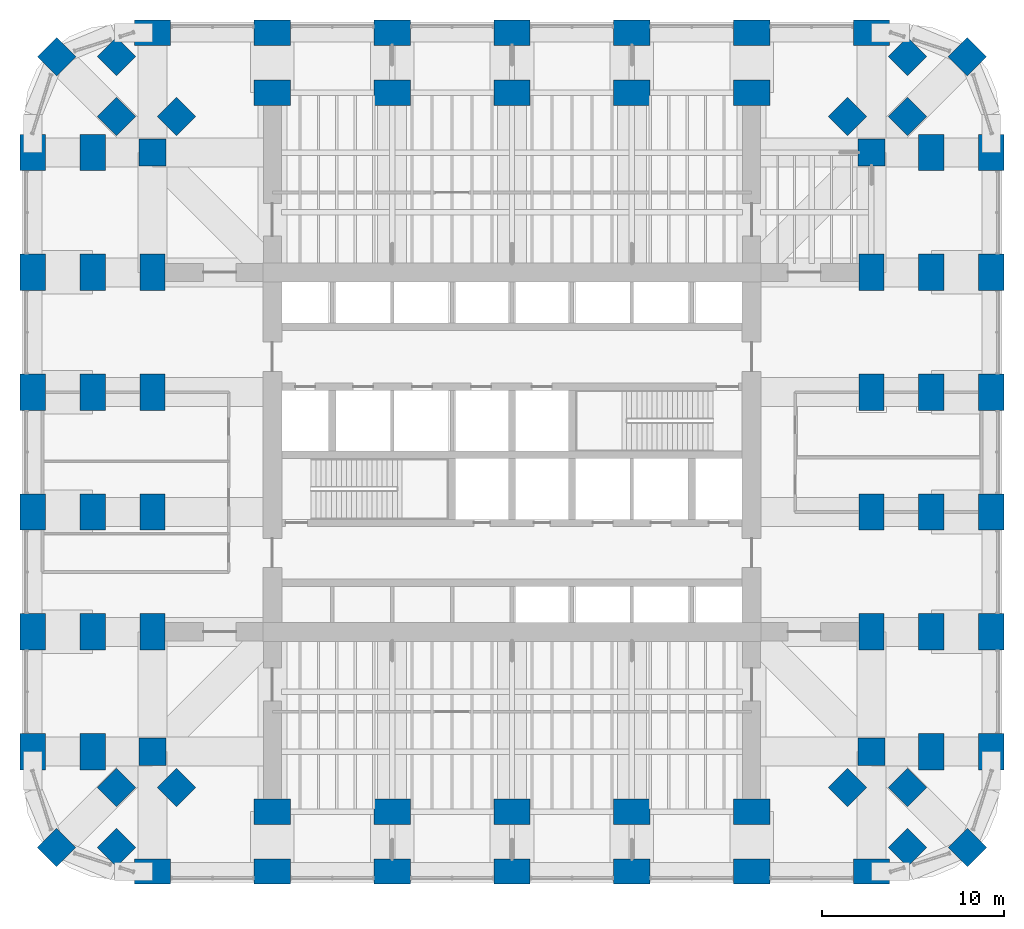
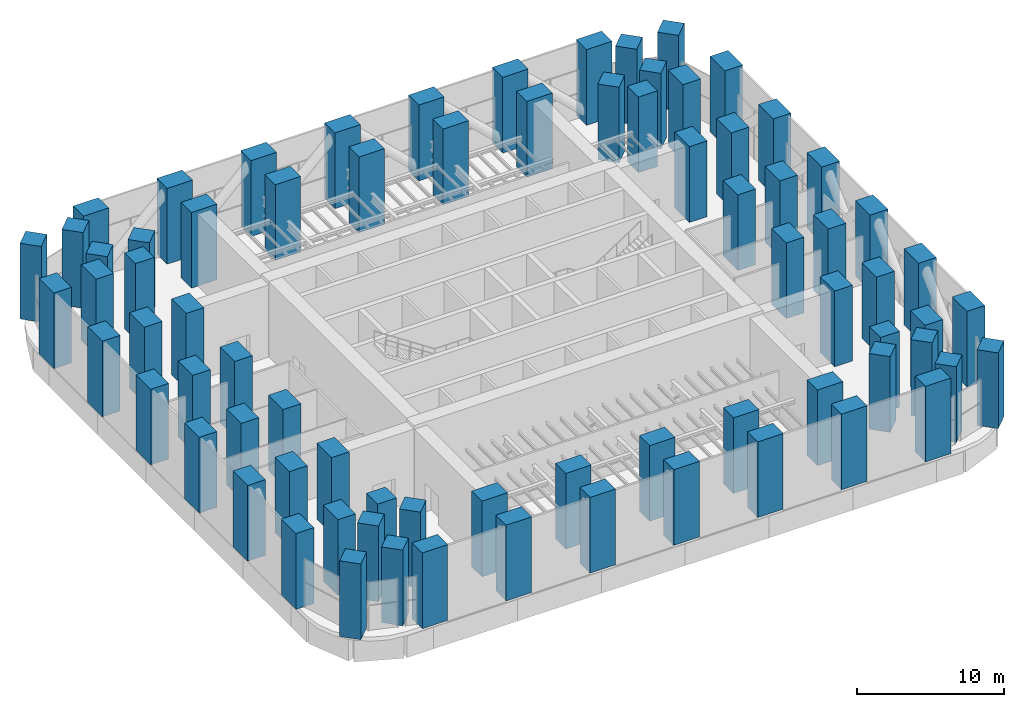
# One storey, part 1 of 17: 76 columns.
"""IFC4 building model written with IfcOpenShell, lengths in metres."""

import ifcopenshell
import ifcopenshell.guid

model = None  # the IFC model being written
_history = None  # IfcOwnerHistory: only IFC2X3 demands one
_inside = {}  # id of a spatial element -> (the spatial element, [elements in it])
_under = {}  # id of a project, library or spatial element -> (it, [spatial elements below it])
_declared = {}  # id of a project -> (the project, [libraries it declares])
_typed = {}  # id of a type object -> (the type object, [elements of that type])
_made_of = {}  # id of a material, layer set ... -> (it, [elements and type objects made of it])


def new_model(schema):
    """Start an empty IFC model of exactly this schema.

    Asked for "IFC4X3", IfcOpenShell would pick the latest addendum, in which some entities
    have other attributes; the version numbers below select the first issue.
    IFC2X3 requires an IfcOwnerHistory on every rooted entity: one is made here for all.
    """
    global model, _history
    if schema == "IFC4X3":
        model = ifcopenshell.file(schema_version=(4, 3, 0, 0))
    else:
        model = ifcopenshell.file(schema=schema)
    _inside.clear()
    _under.clear()
    _declared.clear()
    _typed.clear()
    _made_of.clear()
    _history = None
    if model.schema == "IFC2X3":
        org = make("IfcOrganization", Name="unknown")
        user = make(
            "IfcPersonAndOrganization",
            ThePerson=make("IfcPerson", FamilyName="unknown"),
            TheOrganization=org,
        )
        app = make(
            "IfcApplication",
            ApplicationDeveloper=org,
            Version="unknown",
            ApplicationFullName="unknown",
            ApplicationIdentifier="unknown",
        )
        _history = make(
            "IfcOwnerHistory",
            OwningUser=user,
            OwningApplication=app,
            ChangeAction="ADDED",
            CreationDate=0,
        )
    return model


def make(cls, **values):
    """One entity of the class cls with the attributes given. An attribute that is None is left unset."""
    return model.create_entity(
        cls, **{name: value for name, value in values.items() if value is not None}
    )


def rooted(cls, **values):
    """An entity with a GlobalId (a new one), such as an element, a storey or a relation."""
    return make(cls, GlobalId=ifcopenshell.guid.new(), OwnerHistory=_history, **values)


def si_unit(unit_type, name, prefix=None):
    """IfcSIUnit, for example si_unit("LENGTHUNIT", "METRE", prefix="MILLI")."""
    return make("IfcSIUnit", UnitType=unit_type, Prefix=prefix, Name=name)


def assignment(units):
    """IfcUnitAssignment: the units of a project."""
    return None if units is None else make("IfcUnitAssignment", Units=units)


def point(xyz):
    """IfcCartesianPoint."""
    return None if xyz is None else make("IfcCartesianPoint", Coordinates=xyz)


def direction(xyz):
    """IfcDirection."""
    return None if xyz is None else make("IfcDirection", DirectionRatios=xyz)


def frame(location, z_axis=None, x_axis=None):
    """IfcAxis2Placement3D, a coordinate frame: its origin and axes. An axis left out is left unset."""
    return make(
        "IfcAxis2Placement3D",
        Location=point(location),
        Axis=direction(z_axis),
        RefDirection=direction(x_axis),
    )


def frame_2d(location, x_axis=None):
    """IfcAxis2Placement2D, a coordinate frame in the plane: its origin and x axis."""
    return make(
        "IfcAxis2Placement2D", Location=point(location), RefDirection=direction(x_axis)
    )


def origin():
    """The frame at (0, 0, 0) with its axes left unset."""
    return frame((0.0, 0.0, 0.0))


def origin_2d():
    """The frame at (0, 0) in the plane with its x axis left unset."""
    return frame_2d((0.0, 0.0))


def place(relative_to, where):
    """IfcLocalPlacement: puts the frame where relative to a parent placement (None: the world)."""
    return make(
        "IfcLocalPlacement", PlacementRelTo=relative_to, RelativePlacement=where
    )


def context(
    kind, dimensions, precision=None, world=None, true_north=None, identifier=None
):
    """IfcGeometricRepresentationContext, for example the 3D "Model" context."""
    return make(
        "IfcGeometricRepresentationContext",
        ContextIdentifier=identifier,
        ContextType=kind,
        CoordinateSpaceDimension=dimensions,
        Precision=precision,
        WorldCoordinateSystem=world,
        TrueNorth=true_north,
    )


def subcontext(parent, identifier, kind, view, scale=None):
    """IfcGeometricRepresentationSubContext, for example "Body" below "Model"."""
    return make(
        "IfcGeometricRepresentationSubContext",
        ContextIdentifier=identifier,
        ContextType=kind,
        ParentContext=parent,
        TargetScale=scale,
        TargetView=view,
    )


def project(units=None, contexts=None):
    """IfcProject with its units and contexts."""
    return rooted(
        "IfcProject",
        Name="project",
        RepresentationContexts=contexts,
        UnitsInContext=assignment(units),
    )


def spatial(cls, under=None, at=None, **own):
    """A site, building, storey or space (cls), placed at a placement, below another one or the project."""
    s = rooted(cls, ObjectPlacement=at, **own)
    if under is not None:
        _under.setdefault(under.id(), (under, []))[1].append(s)
    return s


def profile(cls, at=None, kind="AREA", **sizes):
    """A parametric profile (cls). Its sizes go by their IFC names, for example OverallWidth=200.0."""
    return make(cls, ProfileType=kind, Position=at, **sizes)


def rectangle(**sizes):
    """IfcRectangleProfileDef."""
    return profile("IfcRectangleProfileDef", **sizes)


def extrude(swept, where, along, depth):
    """IfcExtrudedAreaSolid: the profile swept, set in the frame where, extruded along a direction by depth."""
    return make(
        "IfcExtrudedAreaSolid",
        SweptArea=swept,
        Position=where,
        ExtrudedDirection=direction(along),
        Depth=depth,
    )


def shape(context_of_items, identifier, shape_type, items):
    """IfcShapeRepresentation: the items that make up one representation, for example the "Body"."""
    return make(
        "IfcShapeRepresentation",
        ContextOfItems=context_of_items,
        RepresentationIdentifier=identifier,
        RepresentationType=shape_type,
        Items=items,
    )


def material(Name=None, Category=None):
    """IfcMaterial."""
    return make("IfcMaterial", Name=Name, Category=Category)


def material_profile(
    of_material, cross_section, Name=None, Category=None, Priority=None
):
    """IfcMaterialProfile: a cross section and its material."""
    return make(
        "IfcMaterialProfile",
        Name=Name,
        Material=of_material,
        Profile=cross_section,
        Priority=Priority,
        Category=Category,
    )


def profile_set(profiles, Name=None, composite=None):
    """IfcMaterialProfileSet."""
    return make(
        "IfcMaterialProfileSet",
        Name=Name,
        MaterialProfiles=profiles,
        CompositeProfile=composite,
    )


def made_of(thing, what):
    """Note that an element or type object is made of a material, layer set ...; save() writes the relation."""
    if what is not None:
        _made_of.setdefault(what.id(), (what, []))[1].append(thing)
    return thing


def type_object(cls, material=None, **own):
    """A type object (cls), such as IfcWallType, which elements share."""
    return made_of(rooted(cls, **own), material)


def element(
    cls,
    number,
    at=None,
    inside=None,
    cuts=None,
    type_object=None,
    material=None,
    context=None,
    identifier="Body",
    shape_type=None,
    held_by="IfcProductDefinitionShape",
    body=None,
    shapes=None,
    **own,
):
    """One element of the class cls, such as IfcWall. Its Tag is "e" and its number.

    at: its placement. inside: the storey or other place that contains it. cuts: it is an
    opening in that element (IfcRelVoidsElement). A single representation is given by context,
    identifier, shape_type and body (its items); several are given by shapes. held_by: the class
    of the entity that holds the representations. save() writes the other relations.
    """
    e = rooted(cls, Tag="e%d" % number, ObjectPlacement=at, **own)
    if body is not None:
        shapes = [shape(context, identifier, shape_type, body)]
    if shapes is not None:
        e.Representation = make(held_by, Representations=shapes)
    if inside is not None:
        _inside.setdefault(inside.id(), (inside, []))[1].append(e)
    if cuts is not None:
        rooted(
            "IfcRelVoidsElement", RelatingBuildingElement=cuts, RelatedOpeningElement=e
        )
    if type_object is not None:
        _typed.setdefault(type_object.id(), (type_object, []))[1].append(e)
    return made_of(e, material)


def aggregate(whole, parts):
    """IfcRelAggregates: a whole, such as a stair, and the parts it consists of."""
    return rooted("IfcRelAggregates", RelatingObject=whole, RelatedObjects=parts)


def save(model, path):
    """Write the relations noted so far, then the file.

    IfcRelAggregates (storeys below a building ...), IfcRelContainedInSpatialStructure (elements
    in a storey), IfcRelDefinesByType, IfcRelAssociatesMaterial and IfcRelDeclares: one each for
    every whole, place, type object, material and project.
    """
    for whole, parts in _under.values():
        aggregate(whole, parts)
    for where, things in _inside.values():
        rooted(
            "IfcRelContainedInSpatialStructure",
            RelatedElements=things,
            RelatingStructure=where,
        )
    for kind, things in _typed.values():
        rooted("IfcRelDefinesByType", RelatedObjects=things, RelatingType=kind)
    for what, things in _made_of.values():
        rooted("IfcRelAssociatesMaterial", RelatedObjects=things, RelatingMaterial=what)
    for by, libraries in _declared.values():
        rooted("IfcRelDeclares", RelatingContext=by, RelatedDefinitions=libraries)
    model.write(path)


model = new_model("IFC4")

# Units and contexts
model_context = context("Model", 3, precision=1e-05, world=origin(), true_north=direction((0.0, 1.0)))
body_context = subcontext(model_context, "Body", "Model", "MODEL_VIEW")
ifc_project = project(units=[si_unit("LENGTHUNIT", "METRE"), si_unit("AREAUNIT", "SQUARE_METRE"), si_unit("VOLUMEUNIT", "CUBIC_METRE"), si_unit("PLANEANGLEUNIT", "RADIAN"), si_unit("MASSUNIT", "GRAM", prefix="KILO")], contexts=[model_context])

# Site, building, storey
site_placement = place(None, origin())
site = spatial("IfcSite", under=ifc_project, at=site_placement, CompositionType="ELEMENT")
building_placement = place(site_placement, origin())
building = spatial("IfcBuilding", under=site, at=building_placement, Name="Cobogo Forest Laboratory Tower", CompositionType="ELEMENT")
storey_placement = place(building_placement, frame((0.0, 0.0, 75.89990234375)))
storey = spatial("IfcBuildingStorey", under=building, at=storey_placement, Name="L17", CompositionType="ELEMENT", Elevation=75.89990234375)

# Columns
ifc_material = material(Name="Concrete HA-50 (C50/60)", Category="concrete")
ifc_material_profile_1 = material_profile(ifc_material, rectangle(XDim=2.0, YDim=1.39990234375, at=origin_2d()), Name="RC 1400x2000")
ifc_profile_set_1 = profile_set([ifc_material_profile_1], Name="Concrete HA-50 (C50/60)")
column_type_1 = type_object("IfcColumnType", Name="Blade column 1400x2000", PredefinedType="COLUMN", material=ifc_profile_set_1)
for number, where, z_axis, x_axis, name in (
    (1, (6.60009765625, 0.0, 0.0), (0.0, 0.0, 1.0), (1.0, 0.0, 0.0), "Column 2-A L17"),
    (2, (13.199951171875, 0.0, 0.0), (0.0, 0.0, 1.0), (1.0, 0.0, 0.0), "Column 3-A L17"),
    (3, (19.800048828125, 0.0, 0.0), (0.0, 0.0, 1.0), (1.0, 0.0, 0.0), "Column 4-A L17"),
    (4, (26.39990234375, 0.0, 0.0), (0.0, 0.0, 1.0), (1.0, 0.0, 0.0), "Column 5-A L17"),
    (5, (33.0, 0.0, 0.0), (0.0, 0.0, 1.0), (1.0, 0.0, 0.0), "Column 6-A L17"),
    (6, (39.60009765625, 0.0, 0.0), (0.0, 0.0, 1.0), (1.0, 0.0, 0.0), "Column 7-A L17"),
    (7, (46.199951171875, 0.0, 0.0), (0.0, 0.0, 1.0), (1.0, 0.0, 0.0), "Column 8-A L17"),
    (8, (0.0, 6.60009765625, 0.0), (0.0, 0.0, 1.0), (0.0, 1.0, 0.0), "Column 1-B L17"),
    (9, (52.800048828125, 6.60009765625, 0.0), (0.0, 0.0, 1.0), (0.0, 1.0, 0.0), "Column 9-B L17"),
    (10, (0.0, 13.199951171875, 0.0), (0.0, 0.0, 1.0), (0.0, 1.0, 0.0), "Column 1-C L17"),
    (11, (52.800048828125, 13.199951171875, 0.0), (0.0, 0.0, 1.0), (0.0, 1.0, 0.0), "Column 9-C L17"),
    (12, (0.0, 19.800048828125, 0.0), (0.0, 0.0, 1.0), (0.0, 1.0, 0.0), "Column 1-D L17"),
    (13, (52.800048828125, 19.800048828125, 0.0), (0.0, 0.0, 1.0), (0.0, 1.0, 0.0), "Column 9-D L17"),
    (14, (0.0, 26.39990234375, 0.0), (0.0, 0.0, 1.0), (0.0, 1.0, 0.0), "Column 1-E L17"),
    (15, (52.800048828125, 26.39990234375, 0.0), (0.0, 0.0, 1.0), (0.0, 1.0, 0.0), "Column 9-E L17"),
    (16, (0.0, 33.0, 0.0), (0.0, 0.0, 1.0), (0.0, 1.0, 0.0), "Column 1-F L17"),
    (17, (52.800048828125, 33.0, 0.0), (0.0, 0.0, 1.0), (0.0, 1.0, 0.0), "Column 9-F L17"),
    (18, (0.0, 39.60009765625, 0.0), (0.0, 0.0, 1.0), (0.0, 1.0, 0.0), "Column 1-G L17"),
    (19, (52.800048828125, 39.60009765625, 0.0), (0.0, 0.0, 1.0), (0.0, 1.0, 0.0), "Column 9-G L17"),
    (20, (6.60009765625, 46.199951171875, 0.0), (0.0, 0.0, 1.0), (1.0, 0.0, 0.0), "Column 2-H L17"),
    (21, (13.199951171875, 46.199951171875, 0.0), (0.0, 0.0, 1.0), (1.0, 0.0, 0.0), "Column 3-H L17"),
    (22, (19.800048828125, 46.199951171875, 0.0), (0.0, 0.0, 1.0), (1.0, 0.0, 0.0), "Column 4-H L17"),
    (23, (26.39990234375, 46.199951171875, 0.0), (0.0, 0.0, 1.0), (1.0, 0.0, 0.0), "Column 5-H L17"),
    (24, (33.0, 46.199951171875, 0.0), (0.0, 0.0, 1.0), (1.0, 0.0, 0.0), "Column 6-H L17"),
    (25, (39.60009765625, 46.199951171875, 0.0), (0.0, 0.0, 1.0), (1.0, 0.0, 0.0), "Column 7-H L17"),
    (26, (46.199951171875, 46.199951171875, 0.0), (0.0, 0.0, 1.0), (1.0, 0.0, 0.0), "Column 8-H L17"),
    (27, (3.300048828125, 6.60009765625, 0.0), (0.0, 0.0, 1.0), (0.0, 1.0, 0.0), "Column 1.1-B-B L17"),
    (28, (49.5, 6.60009765625, 0.0), (0.0, 0.0, 1.0), (0.0, 1.0, 0.0), "Column 8.1-B-B L17"),
    (29, (3.300048828125, 13.199951171875, 0.0), (0.0, 0.0, 1.0), (0.0, 1.0, 0.0), "Column 1.1-C-B L17"),
    (30, (49.5, 13.199951171875, 0.0), (0.0, 0.0, 1.0), (0.0, 1.0, 0.0), "Column 8.1-C-B L17"),
    (31, (3.300048828125, 19.800048828125, 0.0), (0.0, 0.0, 1.0), (0.0, 1.0, 0.0), "Column 1.1-D-B L17"),
    (32, (49.5, 19.800048828125, 0.0), (0.0, 0.0, 1.0), (0.0, 1.0, 0.0), "Column 8.1-D-B L17"),
    (33, (3.300048828125, 26.39990234375, 0.0), (0.0, 0.0, 1.0), (0.0, 1.0, 0.0), "Column 1.1-E-B L17"),
    (34, (49.5, 26.39990234375, 0.0), (0.0, 0.0, 1.0), (0.0, 1.0, 0.0), "Column 8.1-E-B L17"),
    (35, (3.300048828125, 33.0, 0.0), (0.0, 0.0, 1.0), (0.0, 1.0, 0.0), "Column 1.1-F-B L17"),
    (36, (49.5, 33.0, 0.0), (0.0, 0.0, 1.0), (0.0, 1.0, 0.0), "Column 8.1-F-B L17"),
    (37, (3.300048828125, 39.60009765625, 0.0), (0.0, 0.0, 1.0), (0.0, 1.0, 0.0), "Column 1.1-G-B L17"),
    (38, (49.5, 39.60009765625, 0.0), (0.0, 0.0, 1.0), (0.0, 1.0, 0.0), "Column 8.1-G-B L17"),
    (39, (13.199951171875, 3.300048828125, 0.0), (0.0, 0.0, 1.0), (1.0, 0.0, 0.0), "Column 3-A.1-C L17"),
    (40, (19.800048828125, 3.300048828125, 0.0), (0.0, 0.0, 1.0), (1.0, 0.0, 0.0), "Column 4-A.1-C L17"),
    (41, (26.39990234375, 3.300048828125, 0.0), (0.0, 0.0, 1.0), (1.0, 0.0, 0.0), "Column 5-A.1-C L17"),
    (42, (33.0, 3.300048828125, 0.0), (0.0, 0.0, 1.0), (1.0, 0.0, 0.0), "Column 6-A.1-C L17"),
    (43, (39.60009765625, 3.300048828125, 0.0), (0.0, 0.0, 1.0), (1.0, 0.0, 0.0), "Column 7-A.1-C L17"),
    (44, (13.199951171875, 42.89990234375, 0.0), (0.0, 0.0, 1.0), (1.0, 0.0, 0.0), "Column 3-G.1-C L17"),
    (45, (19.800048828125, 42.89990234375, 0.0), (0.0, 0.0, 1.0), (1.0, 0.0, 0.0), "Column 4-G.1-C L17"),
    (46, (26.39990234375, 42.89990234375, 0.0), (0.0, 0.0, 1.0), (1.0, 0.0, 0.0), "Column 5-G.1-C L17"),
    (47, (33.0, 42.89990234375, 0.0), (0.0, 0.0, 1.0), (1.0, 0.0, 0.0), "Column 6-G.1-C L17"),
    (48, (39.60009765625, 42.89990234375, 0.0), (0.0, 0.0, 1.0), (1.0, 0.0, 0.0), "Column 7-G.1-C L17"),
    (49, (6.60009765625, 13.199951171875, 0.0), (0.0, 0.0, 1.0), (0.0, 1.0, 0.0), "Column 2-C-D L17"),
    (50, (46.199951171875, 13.199951171875, 0.0), (0.0, 0.0, 1.0), (0.0, 1.0, 0.0), "Column 8-C-D L17"),
    (51, (6.60009765625, 19.800048828125, 0.0), (0.0, 0.0, 1.0), (0.0, 1.0, 0.0), "Column 2-D-D L17"),
    (52, (46.199951171875, 19.800048828125, 0.0), (0.0, 0.0, 1.0), (0.0, 1.0, 0.0), "Column 8-D-D L17"),
    (53, (6.60009765625, 26.39990234375, 0.0), (0.0, 0.0, 1.0), (0.0, 1.0, 0.0), "Column 2-E-D L17"),
    (54, (46.199951171875, 26.39990234375, 0.0), (0.0, 0.0, 1.0), (0.0, 1.0, 0.0), "Column 8-E-D L17"),
    (55, (6.60009765625, 33.0, 0.0), (0.0, 0.0, 1.0), (0.0, 1.0, 0.0), "Column 2-F-D L17"),
    (56, (46.199951171875, 33.0, 0.0), (0.0, 0.0, 1.0), (0.0, 1.0, 0.0), "Column 8-F-D L17"),
):
    element("IfcColumn", number, at=place(storey_placement, frame(where, z_axis=z_axis, x_axis=x_axis)), inside=storey, type_object=column_type_1, Name=name, PredefinedType="COLUMN", context=body_context, shape_type="SweptSolid", body=[
        extrude(rectangle(XDim=2.0, YDim=1.39990234375, at=origin_2d()), origin(), (0.0, 0.0, 1.0), 6.300048828125),
    ])
ifc_material_profile_2 = material_profile(ifc_material, rectangle(XDim=1.5, YDim=1.5, at=origin_2d()), Name="RC 1500x1500")
ifc_profile_set_2 = profile_set([ifc_material_profile_2], Name="Concrete HA-50 (C50/60)")
column_type_2 = type_object("IfcColumnType", Name="Column 1500x1500", PredefinedType="COLUMN", material=ifc_profile_set_2)
for number, where, z_axis, x_axis, name in (
    (57, (1.318115234375, 1.318115234375, 0.0), (0.0, 0.0, 1.0), (0.707106781187, 0.707106781187, 0.0), "Column CNR-SW L17"),
    (58, (51.48193359375, 1.318115234375, 0.0), (0.0, 0.0, 1.0), (0.707106781187, 0.707106781187, 0.0), "Column CNR-SE L17"),
    (59, (1.318115234375, 44.882080078125, 0.0), (0.0, 0.0, 1.0), (0.707106781187, 0.707106781187, 0.0), "Column CNR-NW L17"),
    (60, (51.48193359375, 44.882080078125, 0.0), (0.0, 0.0, 1.0), (0.707106781187, 0.707106781187, 0.0), "Column CNR-NE L17"),
    (61, (6.60009765625, 6.60009765625, 0.0), (0.0, 0.0, 1.0), (1.0, 0.0, 0.0), "Column 2-B L17"),
    (62, (46.199951171875, 6.60009765625, 0.0), (0.0, 0.0, 1.0), (1.0, 0.0, 0.0), "Column 8-B L17"),
    (63, (6.60009765625, 39.60009765625, 0.0), (0.0, 0.0, 1.0), (1.0, 0.0, 0.0), "Column 2-G L17"),
    (64, (46.199951171875, 39.60009765625, 0.0), (0.0, 0.0, 1.0), (1.0, 0.0, 0.0), "Column 8-G L17"),
    (65, (4.617919921875, 1.318115234375, 0.0), (0.0, 0.0, 1.0), (0.707106781187, 0.707106781187, 0.0), "Column CNR-SW-B L17"),
    (66, (48.181884765625, 1.318115234375, 0.0), (0.0, 0.0, 1.0), (0.707106781187, 0.707106781187, 0.0), "Column CNR-SE-B L17"),
    (67, (4.617919921875, 44.882080078125, 0.0), (0.0, 0.0, 1.0), (0.707106781187, 0.707106781187, 0.0), "Column CNR-NW-B L17"),
    (68, (48.181884765625, 44.882080078125, 0.0), (0.0, 0.0, 1.0), (0.707106781187, 0.707106781187, 0.0), "Column CNR-NE-B L17"),
    (69, (4.617919921875, 4.617919921875, 0.0), (0.0, 0.0, 1.0), (0.707106781187, 0.707106781187, 0.0), "Column CNR-SW-C L17"),
    (70, (48.181884765625, 4.617919921875, 0.0), (0.0, 0.0, 1.0), (0.707106781187, 0.707106781187, 0.0), "Column CNR-SE-C L17"),
    (71, (4.617919921875, 41.58203125, 0.0), (0.0, 0.0, 1.0), (0.707106781187, 0.707106781187, 0.0), "Column CNR-NW-C L17"),
    (72, (48.181884765625, 41.58203125, 0.0), (0.0, 0.0, 1.0), (0.707106781187, 0.707106781187, 0.0), "Column CNR-NE-C L17"),
    (73, (7.91796875, 4.617919921875, 0.0), (0.0, 0.0, 1.0), (0.707106781187, 0.707106781187, 0.0), "Column CNR-SW-D L17"),
    (74, (44.882080078125, 4.617919921875, 0.0), (0.0, 0.0, 1.0), (0.707106781187, 0.707106781187, 0.0), "Column CNR-SE-D L17"),
    (75, (7.91796875, 41.58203125, 0.0), (0.0, 0.0, 1.0), (0.707106781187, 0.707106781187, 0.0), "Column CNR-NW-D L17"),
    (76, (44.882080078125, 41.58203125, 0.0), (0.0, 0.0, 1.0), (0.707106781187, 0.707106781187, 0.0), "Column CNR-NE-D L17"),
):
    element("IfcColumn", number, at=place(storey_placement, frame(where, z_axis=z_axis, x_axis=x_axis)), inside=storey, type_object=column_type_2, Name=name, PredefinedType="COLUMN", context=body_context, shape_type="SweptSolid", body=[
        extrude(rectangle(XDim=1.5, YDim=1.5, at=origin_2d()), origin(), (0.0, 0.0, 1.0), 6.300048828125),
    ])

save(model, "model.ifc")
